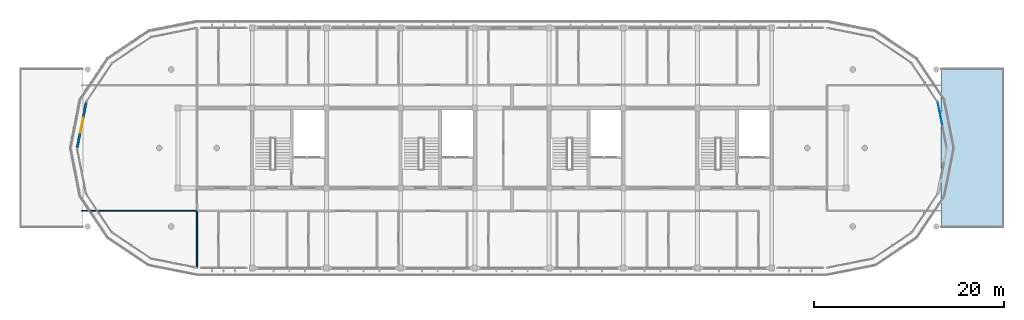
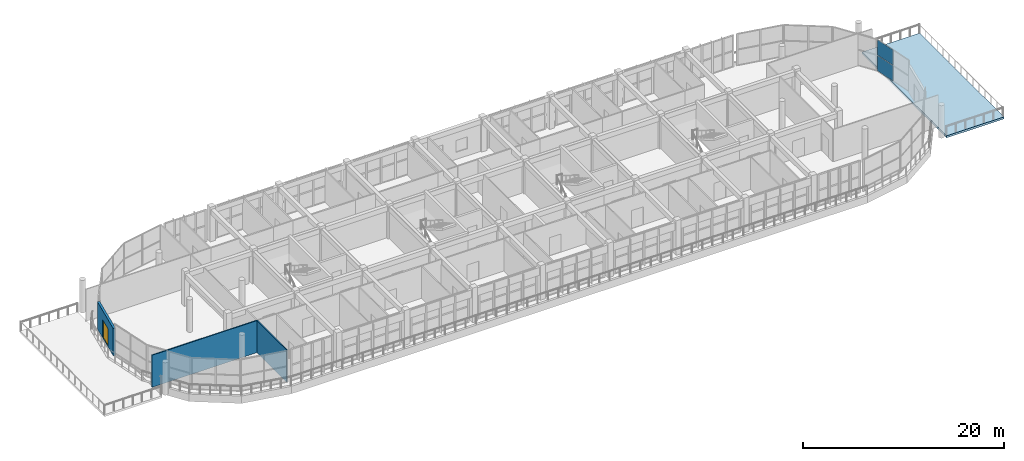
# One storey, part 41 of 50: 3 walls, 2 plates, 1 door, 1 slab, 1 opening, 1 element without a shape of its own.
"""IFC4 building model written with IfcOpenShell, lengths in metres."""

from ifc_helpers import new_model, si_unit, direction, frame, frame_2d, origin, origin_2d, place, context, subcontext, project, spatial, polyline, rectangle, outline, extrude, material, layer, layer_set, type_object, element, fill, aggregate, save


model = new_model("IFC4")

# Units and contexts
model_context = context("Model", 3, precision=1e-05, world=origin(), true_north=direction((0.0, 1.0)))
body_context = subcontext(model_context, "Body", "Model", "MODEL_VIEW")
ifc_project = project(units=[si_unit("LENGTHUNIT", "METRE"), si_unit("AREAUNIT", "SQUARE_METRE"), si_unit("VOLUMEUNIT", "CUBIC_METRE"), si_unit("PLANEANGLEUNIT", "RADIAN"), si_unit("MASSUNIT", "GRAM", prefix="KILO")], contexts=[model_context])

# Site, building, storey
site_placement = place(None, origin())
site = spatial("IfcSite", under=ifc_project, at=site_placement, CompositionType="ELEMENT")
building_placement = place(site_placement, origin())
building = spatial("IfcBuilding", under=site, at=building_placement, Name="Zizhar Promenade General Hospital", CompositionType="ELEMENT")
storey_placement = place(building_placement, frame((0.0, 0.0, 30.60009765625)))
storey = spatial("IfcBuildingStorey", under=building, at=storey_placement, Name="L07", CompositionType="ELEMENT", Elevation=30.60009765625)

# Curtain wall, plates
ifc_material_1 = material(Name="Anodised aluminium 6063-T6 and low-E glass", Category="aluminium")
ifc_layer_1 = layer(ifc_material_1, 0.159912109375)
ifc_layer_set_1 = layer_set([ifc_layer_1], Name="Anodised aluminium 6063-T6 and low-E glass")
curtain_wall_type = type_object("IfcCurtainWallType", Name="CW-WARD-ARC", PredefinedType="NOTDEFINED", material=ifc_layer_set_1)
curtain_wall_placement = place(storey_placement, origin())
curtain_wall = element("IfcCurtainWall", 1, at=curtain_wall_placement, inside=storey, type_object=curtain_wall_type, Name="Ward Semicircular End Glazing L07-05", PredefinedType="NOTDEFINED")
ifc_material_2 = material(Name="Low-E solar-control glass", Category="glass")
ifc_layer_2 = layer(ifc_material_2, 0.031982421875)
ifc_layer_set_2 = layer_set([ifc_layer_2], Name="Low-E solar-control glass")
plate_type = type_object("IfcPlateType", Name="CWP-GLZ-32", PredefinedType="CURTAIN_PANEL", material=ifc_layer_set_2)
plate_1_placement = place(storey_placement, frame((119.08349609375, 16.20166015625, 0.06005859375), z_axis=(0.0, 0.0, 1.0), x_axis=(0.195087259275, -0.980785889615, 0.0)))
plate_1 = element("IfcPlate", 2, at=plate_1_placement, type_object=plate_type, Name="CW-12 panel 1.1", PredefinedType="CURTAIN_PANEL", context=body_context, shape_type="SweptSolid", body=[
    extrude(rectangle(XDim=2.3681640625, YDim=0.031982421875, at=origin_2d()), origin(), (0.0, 0.0, 1.0), 1.860107421875),
])
plate_2_placement = place(storey_placement, frame((119.08349609375, 16.20166015625, 1.97998046875), z_axis=(0.0, 0.0, 1.0), x_axis=(0.195087259275, -0.980785889615, 0.0)))
plate_2 = element("IfcPlate", 3, at=plate_2_placement, type_object=plate_type, Name="CW-12 panel 1.2", PredefinedType="CURTAIN_PANEL", context=body_context, shape_type="SweptSolid", body=[
    extrude(rectangle(XDim=2.3681640625, YDim=0.031982421875, at=origin_2d()), origin(), (0.0, 0.0, 1.0), 1.860107421875),
])
aggregate(curtain_wall, [plate_1, plate_2])

# Slab
ifc_material_3 = material(Name="Concrete C35/45", Category="concrete")
ifc_layer_3 = layer(ifc_material_3, 0.25)
ifc_layer_set_3 = layer_set([ifc_layer_3], Name="Concrete C35/45")
slab_type = type_object("IfcSlabType", Name="SLB-TERR-250", PredefinedType="ROOF", material=ifc_layer_set_3)
slab_placement = place(storey_placement, frame((0.0, 0.0, -0.25)))
element("IfcSlab", 4, at=slab_placement, inside=storey, type_object=slab_type, Name="Level L07 East Recovery Terrace Slab", PredefinedType="ROOF", context=body_context, shape_type="SweptSolid", body=[
    extrude(outline(polyline([(119.199951171875, 4.199951171875), (125.800048828125, 4.199951171875), (125.800048828125, 21.0), (119.199951171875, 21.0), (119.199951171875, 4.199951171875)])), origin(), (0.0, 0.0, 1.0), 0.25),
])

# Wall, opening, door
ifc_material_4 = material(Name="Precast concrete C40/50", Category="concrete")
ifc_layer_4 = layer(ifc_material_4, 0.2451171875)
ifc_layer_set_4 = layer_set([ifc_layer_4], Name="Precast concrete C40/50")
wall_type_1 = type_object("IfcWallType", Name="EW-PC-245", PredefinedType="STANDARD", material=ifc_layer_set_4)
wall_1_placement = place(storey_placement, frame((28.39990234375, 12.60009765625, 0.0), z_axis=(0.0, 0.0, 1.0), x_axis=(0.195113286981, 0.980780712108, 0.0)))
wall_1 = element("IfcWall", 5, at=wall_1_placement, inside=storey, type_object=wall_type_1, Name="Ward West Terrace Portal Wall L07", PredefinedType="STANDARD", context=body_context, shape_type="SweptSolid", body=[
    extrude(rectangle(XDim=4.916259765625, YDim=0.2451171875, at=frame_2d((2.4580078125, 0.0))), origin(), (0.0, 0.0, 1.0), 3.31982421875),
])
opening_placement = place(wall_1_placement, frame((1.658203125, 0.0, 0.0)))
opening = element("IfcOpeningElement", 6, at=opening_placement, cuts=wall_1, Name="Opening ED-05", PredefinedType="OPENING", context=body_context, shape_type="SweptSolid", body=[
    extrude(rectangle(XDim=1.60009765625, YDim=2.199951171875, at=frame_2d((0.800048828125, 1.10009765625))), frame((0.0, 0.132568359375, 0.0), z_axis=(0.0, -1.0, 0.0), x_axis=(1.0, 0.0, 0.0)), (0.0, 0.0, 1.0), 0.26513671875),
])
ifc_material_5 = material(Name="Anodised aluminium 6063-T6 and laminated safety glass", Category="aluminium")
door_type = type_object("IfcDoorType", Name="DR-EXT-TERR-160x220", OperationType="DOUBLE_DOOR_SINGLE_SWING", PredefinedType="DOOR", material=ifc_material_5)
door_placement = place(opening_placement, origin())
door = element("IfcDoor", 7, at=door_placement, inside=storey, type_object=door_type, Name="Level L07 West Recovery Terrace Door", OperationType="DOUBLE_DOOR_SINGLE_SWING", OverallHeight=2.199951171875, OverallWidth=1.60009765625, PredefinedType="DOOR", context=body_context, shape_type="SweptSolid", body=[
    extrude(rectangle(XDim=1.60009765625, YDim=2.199951171875, at=frame_2d((0.800048828125, 1.10009765625))), frame((0.0, 0.02490234375, 0.0), z_axis=(0.0, -1.0, 0.0), x_axis=(1.0, 0.0, 0.0)), (0.0, 0.0, 1.0), 0.050048828125),
])
fill(opening, door)

# Walls
ifc_material_6 = material(Name="Clean utility gypsum partition")
ifc_layer_5 = layer(ifc_material_6, 0.114990234375)
ifc_layer_set_5 = layer_set([ifc_layer_5], Name="Clean utility gypsum partition")
wall_type_2 = type_object("IfcWallType", Name="IW-STR-115", PredefinedType="PARTITIONING", material=ifc_layer_set_5)
wall_2_placement = place(storey_placement, frame((28.89990234375, 6.0, 0.0), z_axis=(0.0, 0.0, 1.0), x_axis=(1.0, 0.0, 0.0)))
element("IfcWall", 8, at=wall_2_placement, inside=storey, type_object=wall_type_2, Name="West Patient Recovery Solarium L07 S Partition", PredefinedType="PARTITIONING", context=body_context, shape_type="SweptSolid", body=[
    extrude(rectangle(XDim=12.10009765625, YDim=0.114990234375, at=frame_2d((6.050048828125, 0.0))), origin(), (0.0, 0.0, 1.0), 3.89990234375),
])
ifc_material_7 = material(Name="Moisture-resistant en-suite wet partition")
ifc_layer_6 = layer(ifc_material_7, 0.125)
ifc_layer_set_6 = layer_set([ifc_layer_6], Name="Moisture-resistant en-suite wet partition")
wall_type_3 = type_object("IfcWallType", Name="IW-WET-125", PredefinedType="PARTITIONING", material=ifc_layer_set_6)
wall_3_placement = place(storey_placement, frame((41.0, 0.044921875, 0.0), z_axis=(0.0, 0.0, 1.0), x_axis=(0.0, 1.0, 0.0)))
element("IfcWall", 9, at=wall_3_placement, inside=storey, type_object=wall_type_3, Name="En-Suite Patient Bathroom L07-S01 W Partition", PredefinedType="PARTITIONING", context=body_context, shape_type="SweptSolid", body=[
    extrude(rectangle(XDim=5.955078125, YDim=0.125, at=frame_2d((2.9775390625, 0.0))), origin(), (0.0, 0.0, 1.0), 3.89990234375),
])

save(model, "model.ifc")
